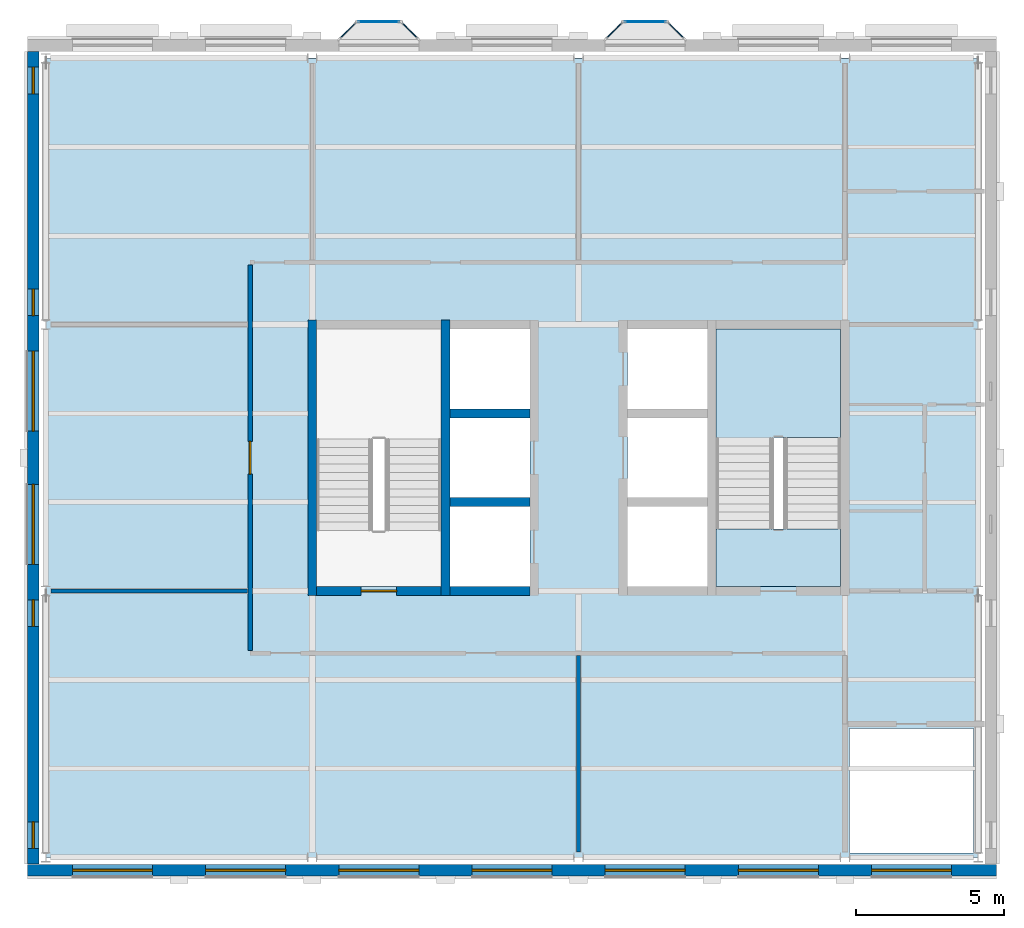
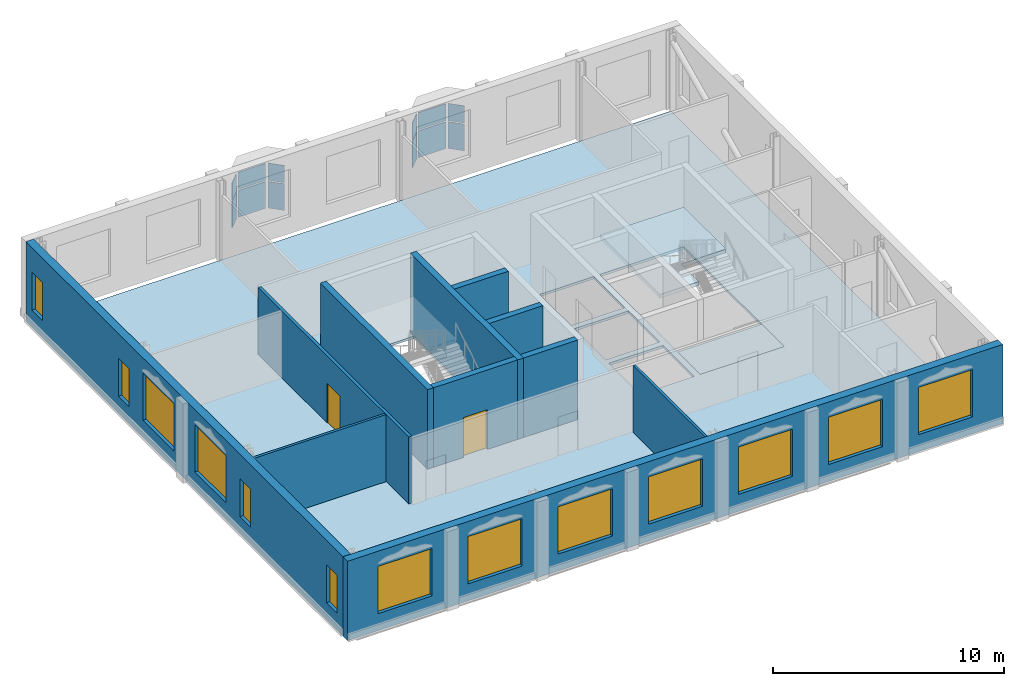
# One storey, part 3 of 9: 13 windows, 12 plates, 11 walls, 3 slabs, 2 doors, 15 openings, 7 elements without a shape of their own.
"""IFC4 building model written with IfcOpenShell, lengths in metres."""

from ifc_helpers import new_model, si_unit, direction, frame, frame_2d, origin, origin_2d, place, context, subcontext, project, spatial, polyline, rectangle, outline, extrude, material, layer, layer_set, type_object, element, fill, aggregate, save


model = new_model("IFC4")

# Units and contexts
model_context = context("Model", 3, precision=1e-05, world=origin(), true_north=direction((0.0, 1.0)))
body_context = subcontext(model_context, "Body", "Model", "MODEL_VIEW")
ifc_project = project(units=[si_unit("LENGTHUNIT", "METRE"), si_unit("AREAUNIT", "SQUARE_METRE"), si_unit("VOLUMEUNIT", "CUBIC_METRE"), si_unit("PLANEANGLEUNIT", "RADIAN"), si_unit("MASSUNIT", "GRAM", prefix="KILO")], contexts=[model_context])

# Site, building, storey
site_placement = place(None, origin())
site = spatial("IfcSite", under=ifc_project, at=site_placement, CompositionType="ELEMENT")
building_placement = place(site_placement, origin())
building = spatial("IfcBuilding", under=site, at=building_placement, Name="Hortulan Conservatory and Botanical Research Centre", CompositionType="ELEMENT")
storey_placement = place(building_placement, frame((0.0, 0.0, 48.60009765625)))
storey = spatial("IfcBuildingStorey", under=building, at=storey_placement, Name="L11", CompositionType="ELEMENT", Elevation=48.60009765625)

# Slab
ifc_material_1 = material(Name="Concrete N32 (32 MPa, AS 3600)", Category="concrete")
ifc_layer_1 = layer(ifc_material_1, 0.1298828125)
ifc_layer_set_1 = layer_set([ifc_layer_1], Name="Composite Floor Slab 130")
slab_type_1 = type_object("IfcSlabType", Name="Composite Floor Slab 130", PredefinedType="FLOOR", material=ifc_layer_set_1)
slab_1_placement = place(storey_placement, frame((0.0, 0.0, -0.130126953125)))
element("IfcSlab", 1, at=slab_1_placement, inside=storey, type_object=slab_type_1, Name="Floor slab", PredefinedType="FLOOR", context=body_context, shape_type="SweptSolid", body=[
    extrude(outline(polyline([(0.0, 0.0), (31.5, 0.0), (31.5, 27.0), (0.0, 27.0), (0.0, 0.0)]), holes=[polyline([(27.14990234375, 4.35009765625), (27.14990234375, 0.14990234375), (31.35009765625, 0.14990234375), (31.35009765625, 4.35009765625), (27.14990234375, 4.35009765625)]), polyline([(13.64990234375, 11.85009765625), (13.64990234375, 9.14990234375), (16.35009765625, 9.14990234375), (16.35009765625, 11.85009765625), (13.64990234375, 11.85009765625)]), polyline([(19.64990234375, 11.85009765625), (19.64990234375, 9.14990234375), (22.35009765625, 9.14990234375), (22.35009765625, 11.85009765625), (19.64990234375, 11.85009765625)]), polyline([(9.14990234375, 17.85009765625), (9.14990234375, 9.14990234375), (13.35009765625, 9.14990234375), (13.35009765625, 17.85009765625), (9.14990234375, 17.85009765625)]), polyline([(13.64990234375, 14.85009765625), (13.64990234375, 12.14990234375), (16.35009765625, 12.14990234375), (16.35009765625, 14.85009765625), (13.64990234375, 14.85009765625)]), polyline([(19.64990234375, 14.85009765625), (19.64990234375, 12.14990234375), (22.35009765625, 12.14990234375), (22.35009765625, 14.85009765625), (19.64990234375, 14.85009765625)]), polyline([(22.64990234375, 17.85009765625), (22.64990234375, 9.14990234375), (26.85009765625, 9.14990234375), (26.85009765625, 17.85009765625), (22.64990234375, 17.85009765625)]), polyline([(16.35009765625, 17.85009765625), (13.64990234375, 17.85009765625), (13.64990234375, 15.14990234375), (16.35009765625, 15.14990234375), (16.35009765625, 17.85009765625)]), polyline([(22.35009765625, 17.85009765625), (19.64990234375, 17.85009765625), (19.64990234375, 15.14990234375), (22.35009765625, 15.14990234375), (22.35009765625, 17.85009765625)])]), origin(), (0.0, 0.0, 1.0), 0.130126953125),
])

# Curtain wall, plates
ifc_material_2 = material(Name="Bronze-finished aluminium", Category="aluminium")
ifc_layer_2 = layer(ifc_material_2, 0.10009765625)
ifc_layer_set_2 = layer_set([ifc_layer_2], Name="Oriel Curtain Wall 1350 module")
curtain_wall_type = type_object("IfcCurtainWallType", Name="Oriel Curtain Wall 1350 module", PredefinedType="NOTDEFINED", material=ifc_layer_set_2)
curtain_wall_1_placement = place(storey_placement, origin())
curtain_wall_1 = element("IfcCurtainWall", 2, at=curtain_wall_1_placement, inside=storey, type_object=curtain_wall_type, Name="Oriel glazing", PredefinedType="NOTDEFINED")
ifc_material_3 = material(Name="Low-e laminated glass", Category="glass")
ifc_layer_3 = layer(ifc_material_3, 0.028076171875)
ifc_layer_set_3 = layer_set([ifc_layer_3], Name="Laminated Glass Panel 28")
plate_type = type_object("IfcPlateType", Name="Laminated Glass Panel 28", PredefinedType="CURTAIN_PANEL", material=ifc_layer_set_3)
plate_1_placement = place(storey_placement, frame((10.199951171875, 27.93603515625, 0.9599609375), z_axis=(0.0, 0.0, 1.0), x_axis=(0.707106781187, 0.707106781187, 0.0)))
plate_1 = element("IfcPlate", 3, at=plate_1_placement, type_object=plate_type, Name="CW2 panel 1.1", PredefinedType="CURTAIN_PANEL", context=body_context, shape_type="SweptSolid", body=[
    extrude(rectangle(XDim=0.728515625, YDim=0.028076171875, at=origin_2d()), origin(), (0.0, 0.0, 1.0), 1.409912109375),
])
plate_2_placement = place(storey_placement, frame((10.199951171875, 27.93603515625, 2.43017578125), z_axis=(0.0, 0.0, 1.0), x_axis=(0.707106781187, 0.707106781187, 0.0)))
plate_2 = element("IfcPlate", 4, at=plate_2_placement, type_object=plate_type, Name="CW2 panel 1.2", PredefinedType="CURTAIN_PANEL", context=body_context, shape_type="SweptSolid", body=[
    extrude(rectangle(XDim=0.728515625, YDim=0.028076171875, at=origin_2d()), origin(), (0.0, 0.0, 1.0), 0.909912109375),
])
aggregate(curtain_wall_1, [plate_1, plate_2])

curtain_wall_2_placement = place(storey_placement, origin())
curtain_wall_2 = element("IfcCurtainWall", 5, at=curtain_wall_2_placement, inside=storey, type_object=curtain_wall_type, Name="Oriel glazing", PredefinedType="NOTDEFINED")
plate_3_placement = place(storey_placement, frame((11.25, 28.236083984375, 0.9599609375), z_axis=(0.0, 0.0, 1.0), x_axis=(1.0, 0.0, 0.0)))
plate_3 = element("IfcPlate", 6, at=plate_3_placement, type_object=plate_type, Name="CW2 panel 1.1", PredefinedType="CURTAIN_PANEL", context=body_context, shape_type="SweptSolid", body=[
    extrude(rectangle(XDim=1.3798828125, YDim=0.028076171875, at=origin_2d()), origin(), (0.0, 0.0, 1.0), 1.409912109375),
])
plate_4_placement = place(storey_placement, frame((11.25, 28.236083984375, 2.43017578125), z_axis=(0.0, 0.0, 1.0), x_axis=(1.0, 0.0, 0.0)))
plate_4 = element("IfcPlate", 7, at=plate_4_placement, type_object=plate_type, Name="CW2 panel 1.2", PredefinedType="CURTAIN_PANEL", context=body_context, shape_type="SweptSolid", body=[
    extrude(rectangle(XDim=1.3798828125, YDim=0.028076171875, at=origin_2d()), origin(), (0.0, 0.0, 1.0), 0.909912109375),
])
aggregate(curtain_wall_2, [plate_3, plate_4])

curtain_wall_3_placement = place(storey_placement, origin())
curtain_wall_3 = element("IfcCurtainWall", 8, at=curtain_wall_3_placement, inside=storey, type_object=curtain_wall_type, Name="Oriel glazing", PredefinedType="NOTDEFINED")
plate_5_placement = place(storey_placement, frame((12.300048828125, 27.93603515625, 0.9599609375), z_axis=(0.0, 0.0, 1.0), x_axis=(0.707106781187, -0.707106781187, 0.0)))
plate_5 = element("IfcPlate", 9, at=plate_5_placement, type_object=plate_type, Name="CW2 panel 1.1", PredefinedType="CURTAIN_PANEL", context=body_context, shape_type="SweptSolid", body=[
    extrude(rectangle(XDim=0.728515625, YDim=0.028076171875, at=origin_2d()), origin(), (0.0, 0.0, 1.0), 1.409912109375),
])
plate_6_placement = place(storey_placement, frame((12.300048828125, 27.93603515625, 2.43017578125), z_axis=(0.0, 0.0, 1.0), x_axis=(0.707106781187, -0.707106781187, 0.0)))
plate_6 = element("IfcPlate", 10, at=plate_6_placement, type_object=plate_type, Name="CW2 panel 1.2", PredefinedType="CURTAIN_PANEL", context=body_context, shape_type="SweptSolid", body=[
    extrude(rectangle(XDim=0.728515625, YDim=0.028076171875, at=origin_2d()), origin(), (0.0, 0.0, 1.0), 0.909912109375),
])
aggregate(curtain_wall_3, [plate_5, plate_6])

curtain_wall_4_placement = place(storey_placement, origin())
curtain_wall_4 = element("IfcCurtainWall", 11, at=curtain_wall_4_placement, inside=storey, type_object=curtain_wall_type, Name="Oriel glazing", PredefinedType="NOTDEFINED")
plate_7_placement = place(storey_placement, frame((19.199951171875, 27.93603515625, 0.9599609375), z_axis=(0.0, 0.0, 1.0), x_axis=(0.707106781187, 0.707106781187, 0.0)))
plate_7 = element("IfcPlate", 12, at=plate_7_placement, type_object=plate_type, Name="CW2 panel 1.1", PredefinedType="CURTAIN_PANEL", context=body_context, shape_type="SweptSolid", body=[
    extrude(rectangle(XDim=0.728515625, YDim=0.028076171875, at=origin_2d()), origin(), (0.0, 0.0, 1.0), 1.409912109375),
])
plate_8_placement = place(storey_placement, frame((19.199951171875, 27.93603515625, 2.43017578125), z_axis=(0.0, 0.0, 1.0), x_axis=(0.707106781187, 0.707106781187, 0.0)))
plate_8 = element("IfcPlate", 13, at=plate_8_placement, type_object=plate_type, Name="CW2 panel 1.2", PredefinedType="CURTAIN_PANEL", context=body_context, shape_type="SweptSolid", body=[
    extrude(rectangle(XDim=0.728515625, YDim=0.028076171875, at=origin_2d()), origin(), (0.0, 0.0, 1.0), 0.909912109375),
])
aggregate(curtain_wall_4, [plate_7, plate_8])

curtain_wall_5_placement = place(storey_placement, origin())
curtain_wall_5 = element("IfcCurtainWall", 14, at=curtain_wall_5_placement, inside=storey, type_object=curtain_wall_type, Name="Oriel glazing", PredefinedType="NOTDEFINED")
plate_9_placement = place(storey_placement, frame((20.25, 28.236083984375, 0.9599609375), z_axis=(0.0, 0.0, 1.0), x_axis=(1.0, 0.0, 0.0)))
plate_9 = element("IfcPlate", 15, at=plate_9_placement, type_object=plate_type, Name="CW2 panel 1.1", PredefinedType="CURTAIN_PANEL", context=body_context, shape_type="SweptSolid", body=[
    extrude(rectangle(XDim=1.3798828125, YDim=0.028076171875, at=origin_2d()), origin(), (0.0, 0.0, 1.0), 1.409912109375),
])
plate_10_placement = place(storey_placement, frame((20.25, 28.236083984375, 2.43017578125), z_axis=(0.0, 0.0, 1.0), x_axis=(1.0, 0.0, 0.0)))
plate_10 = element("IfcPlate", 16, at=plate_10_placement, type_object=plate_type, Name="CW2 panel 1.2", PredefinedType="CURTAIN_PANEL", context=body_context, shape_type="SweptSolid", body=[
    extrude(rectangle(XDim=1.3798828125, YDim=0.028076171875, at=origin_2d()), origin(), (0.0, 0.0, 1.0), 0.909912109375),
])
aggregate(curtain_wall_5, [plate_9, plate_10])

curtain_wall_6_placement = place(storey_placement, origin())
curtain_wall_6 = element("IfcCurtainWall", 17, at=curtain_wall_6_placement, inside=storey, type_object=curtain_wall_type, Name="Oriel glazing", PredefinedType="NOTDEFINED")
plate_11_placement = place(storey_placement, frame((21.300048828125, 27.93603515625, 0.9599609375), z_axis=(0.0, 0.0, 1.0), x_axis=(0.707106781187, -0.707106781187, 0.0)))
plate_11 = element("IfcPlate", 18, at=plate_11_placement, type_object=plate_type, Name="CW2 panel 1.1", PredefinedType="CURTAIN_PANEL", context=body_context, shape_type="SweptSolid", body=[
    extrude(rectangle(XDim=0.728515625, YDim=0.028076171875, at=origin_2d()), origin(), (0.0, 0.0, 1.0), 1.409912109375),
])
plate_12_placement = place(storey_placement, frame((21.300048828125, 27.93603515625, 2.43017578125), z_axis=(0.0, 0.0, 1.0), x_axis=(0.707106781187, -0.707106781187, 0.0)))
plate_12 = element("IfcPlate", 19, at=plate_12_placement, type_object=plate_type, Name="CW2 panel 1.2", PredefinedType="CURTAIN_PANEL", context=body_context, shape_type="SweptSolid", body=[
    extrude(rectangle(XDim=0.728515625, YDim=0.028076171875, at=origin_2d()), origin(), (0.0, 0.0, 1.0), 0.909912109375),
])
aggregate(curtain_wall_6, [plate_11, plate_12])

# Stair, slab
ifc_material_4 = material(Name="Concrete N40 (40 MPa, AS 3600)", Category="concrete")
stair_type = type_object("IfcStairType", Name="Concrete Escape Stair 1950", PredefinedType="HALF_TURN_STAIR", material=ifc_material_4)
stair_placement = place(storey_placement, origin())
stair = element("IfcStair", 20, at=stair_placement, inside=storey, type_object=stair_type, Name="Stair T2 L11", PredefinedType="HALF_TURN_STAIR")
ifc_layer_4 = layer(ifc_material_4, 0.199951171875)
ifc_layer_set_4 = layer_set([ifc_layer_4], Name="Stair Landing 200")
slab_type_2 = type_object("IfcSlabType", Name="Stair Landing 200", PredefinedType="LANDING", material=ifc_layer_set_4)
slab_2_placement = place(storey_placement, frame((0.0, 0.0, 1.89990234375)))
slab_2 = element("IfcSlab", 21, at=slab_2_placement, type_object=slab_type_2, Name="Stair T2 L11 half landing 1", PredefinedType="LANDING", context=body_context, shape_type="SweptSolid", body=[
    extrude(outline(polyline([(26.85009765625, 14.179443359375), (24.60009765625, 14.179443359375), (24.60009765625, 12.639892578125), (22.64990234375, 12.639892578125), (22.64990234375, 14.179443359375), (22.64990234375, 14.179931640625), (22.64990234375, 14.18994140625), (22.64990234375, 17.85009765625), (26.85009765625, 17.85009765625), (26.85009765625, 14.18994140625), (26.85009765625, 14.179931640625), (26.85009765625, 14.179443359375)])), origin(), (0.0, 0.0, 1.0), 0.199951171875),
])
aggregate(stair, [slab_2])

# Slab
slab_3_placement = place(storey_placement, frame((0.0, 0.0, -0.2001953125)))
element("IfcSlab", 22, at=slab_3_placement, inside=storey, type_object=slab_type_2, Name="Stair T2 floor landing L11", PredefinedType="LANDING", context=body_context, shape_type="SweptSolid", body=[
    extrude(outline(polyline([(26.85009765625, 9.14990234375), (22.64990234375, 9.14990234375), (22.64990234375, 11.10009765625), (26.85009765625, 11.10009765625), (26.85009765625, 9.14990234375)])), origin(), (0.0, 0.0, 1.0), 0.2001953125),
])

# Walls
ifc_layer_5 = layer(ifc_material_4, 0.300048828125)
ifc_layer_set_5 = layer_set([ifc_layer_5], Name="Core Wall 300 N40 FRL 240/120/120")
wall_type_1 = type_object("IfcWallType", Name="Core Wall 300 N40 FRL 240/120/120", PredefinedType="SHEAR", material=ifc_layer_set_5)
for number, where, z_axis, x_axis, name in (
    (23, (9.0, 8.85009765625, 0.0), (0.0, 0.0, 1.0), (0.0, 1.0, 0.0), "Reinforced concrete shaft wall"),
    (24, (13.5, 8.85009765625, 0.0), (0.0, 0.0, 1.0), (0.0, 1.0, 0.0), "Reinforced concrete shaft wall"),
):
    element("IfcWall", number, at=place(storey_placement, frame(where, z_axis=z_axis, x_axis=x_axis)), inside=storey, type_object=wall_type_1, Name=name, PredefinedType="SHEAR", context=body_context, shape_type="SweptSolid", body=[
        extrude(rectangle(XDim=9.2998046875, YDim=0.300048828125, at=frame_2d((4.64990234375, 0.0))), origin(), (0.0, 0.0, 1.0), 4.199951171875),
    ])

# Wall, opening, door
wall_1_placement = place(storey_placement, frame((9.14990234375, 9.0, 0.0), z_axis=(0.0, 0.0, 1.0), x_axis=(1.0, 0.0, 0.0)))
wall_1 = element("IfcWall", 25, at=wall_1_placement, inside=storey, type_object=wall_type_1, Name="Reinforced concrete shaft wall", PredefinedType="SHEAR", context=body_context, shape_type="SweptSolid", body=[
    extrude(rectangle(XDim=4.2001953125, YDim=0.300048828125, at=frame_2d((2.10009765625, 0.0))), origin(), (0.0, 0.0, 1.0), 4.199951171875),
])
opening_1_placement = place(wall_1_placement, frame((1.5, 0.0, 0.0)))
opening_1 = element("IfcOpeningElement", 26, at=opening_1_placement, cuts=wall_1, Name="Opening DT5", PredefinedType="OPENING", context=body_context, shape_type="SweptSolid", body=[
    extrude(rectangle(XDim=1.199951171875, YDim=2.10009765625, at=frame_2d((0.60009765625, 1.050048828125))), frame((0.0, 0.159912109375, 0.0), z_axis=(0.0, -1.0, 0.0), x_axis=(1.0, 0.0, 0.0)), (0.0, 0.0, 1.0), 0.320068359375),
])
ifc_material_5 = material(Name="Steel door leaf, insulated", Category="steel")
door_type_1 = type_object("IfcDoorType", Name="Stair Door 1200x2100 FRL -/120/30", OperationType="NOTDEFINED", PredefinedType="DOOR", material=ifc_material_5)
door_1_placement = place(opening_1_placement, origin())
door_1 = element("IfcDoor", 27, at=door_1_placement, inside=storey, type_object=door_type_1, Name="Door DT5 Exit Stair T1", OperationType="SINGLE_SWING_RIGHT", OverallHeight=2.10009765625, OverallWidth=1.199951171875, PredefinedType="DOOR", context=body_context, shape_type="SweptSolid", body=[
    extrude(rectangle(XDim=1.199951171875, YDim=2.10009765625, at=frame_2d((0.60009765625, 1.050048828125))), frame((0.0, 0.02490234375, 0.0), z_axis=(0.0, -1.0, 0.0), x_axis=(1.0, 0.0, 0.0)), (0.0, 0.0, 1.0), 0.050048828125),
])
fill(opening_1, door_1)

# Walls
for number, where, z_axis, x_axis, name in (
    (28, (13.64990234375, 9.0, 0.0), (0.0, 0.0, 1.0), (1.0, 0.0, 0.0), "Reinforced concrete shaft wall"),
    (29, (13.64990234375, 12.0, 0.0), (0.0, 0.0, 1.0), (1.0, 0.0, 0.0), "Reinforced concrete shaft wall"),
    (30, (13.64990234375, 15.0, 0.0), (0.0, 0.0, 1.0), (1.0, 0.0, 0.0), "Reinforced concrete shaft wall"),
):
    element("IfcWall", number, at=place(storey_placement, frame(where, z_axis=z_axis, x_axis=x_axis)), inside=storey, type_object=wall_type_1, Name=name, PredefinedType="SHEAR", context=body_context, shape_type="SweptSolid", body=[
        extrude(rectangle(XDim=2.7001953125, YDim=0.300048828125, at=frame_2d((1.35009765625, 0.0))), origin(), (0.0, 0.0, 1.0), 4.199951171875),
    ])

# Wall, opening, door
ifc_material_6 = material(Name="Plasterboard on steel studs", Category="steel")
ifc_layer_6 = layer(ifc_material_6, 0.14990234375)
ifc_layer_set_6 = layer_set([ifc_layer_6], Name="Corridor Partition 150")
wall_type_2 = type_object("IfcWallType", Name="Corridor Partition 150", PredefinedType="PARTITIONING", material=ifc_layer_set_6)
wall_2_placement = place(storey_placement, frame((6.89990234375, 6.985107421875, 0.0), z_axis=(0.0, 0.0, 1.0), x_axis=(0.0, 1.0, 0.0)))
wall_2 = element("IfcWall", 31, at=wall_2_placement, inside=storey, type_object=wall_type_2, Name="Corridor partition", PredefinedType="PARTITIONING", context=body_context, shape_type="SweptSolid", body=[
    extrude(rectangle(XDim=13.02978515625, YDim=0.14990234375, at=frame_2d((6.514892578125, 0.0))), origin(), (0.0, 0.0, 1.0), 3.5419921875),
])
opening_2_placement = place(wall_2_placement, frame((5.965087890625, 0.0, 0.0)))
opening_2 = element("IfcOpeningElement", 32, at=opening_2_placement, cuts=wall_2, Name="Opening DT3", PredefinedType="OPENING", context=body_context, shape_type="SweptSolid", body=[
    extrude(rectangle(XDim=1.10009765625, YDim=2.10009765625, at=frame_2d((0.550048828125, 1.050048828125))), frame((0.0, 0.0849609375, 0.0), z_axis=(0.0, -1.0, 0.0), x_axis=(1.0, 0.0, 0.0)), (0.0, 0.0, 1.0), 0.169921875),
])
ifc_material_7 = material(Name="Timber door leaf with vision panel", Category="wood")
door_type_2 = type_object("IfcDoorType", Name="Laboratory Door 1100x2100", OperationType="NOTDEFINED", PredefinedType="DOOR", material=ifc_material_7)
door_2_placement = place(opening_2_placement, origin())
door_2 = element("IfcDoor", 33, at=door_2_placement, inside=storey, type_object=door_type_2, Name="Door DT3 Digital Library Suite", OperationType="SINGLE_SWING_LEFT", OverallHeight=2.10009765625, OverallWidth=1.10009765625, PredefinedType="DOOR", context=body_context, shape_type="SweptSolid", body=[
    extrude(rectangle(XDim=1.10009765625, YDim=2.10009765625, at=frame_2d((0.550048828125, 1.050048828125))), frame((0.0, 0.02490234375, 0.0), z_axis=(0.0, -1.0, 0.0), x_axis=(1.0, 0.0, 0.0)), (0.0, 0.0, 1.0), 0.050048828125),
])
fill(opening_2, door_2)

# Wall, openings, windows
ifc_material_8 = material(Name="Faience-faced brickwork masonry", Category="masonry")
ifc_layer_7 = layer(ifc_material_8, 0.39990234375)
ifc_layer_set_7 = layer_set([ifc_layer_7], Name="Faience-faced Masonry Cavity Wall 400")
wall_type_3 = type_object("IfcWallType", Name="Faience-faced Masonry Cavity Wall 400", PredefinedType="STANDARD", material=ifc_layer_set_7)
wall_3_placement = place(storey_placement, frame((32.125, -0.43603515625, 0.0), z_axis=(0.0, 0.0, 1.0), x_axis=(-1.0, 0.0, 0.0)))
wall_3 = element("IfcWall", 34, at=wall_3_placement, inside=storey, type_object=wall_type_3, Name="E-EW-TW-L11-S1", PredefinedType="STANDARD", context=body_context, shape_type="SweptSolid", body=[
    extrude(rectangle(XDim=32.75, YDim=0.39990234375, at=frame_2d((16.375, 0.0))), origin(), (0.0, 0.0, 1.0), 4.199951171875),
])
opening_3_placement = place(wall_3_placement, frame((28.52490234375, 0.0, 0.89990234375)))
opening_3 = element("IfcOpeningElement", 35, at=opening_3_placement, cuts=wall_3, Name="Opening W4", PredefinedType="OPENING", context=body_context, shape_type="SweptSolid", body=[
    extrude(rectangle(XDim=2.699951171875, YDim=2.5, at=frame_2d((1.35009765625, 1.25))), frame((0.0, 0.2099609375, 0.0), z_axis=(0.0, -1.0, 0.0), x_axis=(1.0, 0.0, 0.0)), (0.0, 0.0, 1.0), 0.419921875),
])
opening_4_placement = place(wall_3_placement, frame((24.02490234375, 0.0, 0.89990234375)))
opening_4 = element("IfcOpeningElement", 36, at=opening_4_placement, cuts=wall_3, Name="Opening W4", PredefinedType="OPENING", context=body_context, shape_type="SweptSolid", body=[
    extrude(rectangle(XDim=2.699951171875, YDim=2.5, at=frame_2d((1.35009765625, 1.25))), frame((0.0, 0.2099609375, 0.0), z_axis=(0.0, -1.0, 0.0), x_axis=(1.0, 0.0, 0.0)), (0.0, 0.0, 1.0), 0.419921875),
])
opening_5_placement = place(wall_3_placement, frame((19.52490234375, 0.0, 0.89990234375)))
opening_5 = element("IfcOpeningElement", 37, at=opening_5_placement, cuts=wall_3, Name="Opening W4", PredefinedType="OPENING", context=body_context, shape_type="SweptSolid", body=[
    extrude(rectangle(XDim=2.699951171875, YDim=2.5, at=frame_2d((1.35009765625, 1.25))), frame((0.0, 0.2099609375, 0.0), z_axis=(0.0, -1.0, 0.0), x_axis=(1.0, 0.0, 0.0)), (0.0, 0.0, 1.0), 0.419921875),
])
opening_6_placement = place(wall_3_placement, frame((15.02490234375, 0.0, 0.89990234375)))
opening_6 = element("IfcOpeningElement", 38, at=opening_6_placement, cuts=wall_3, Name="Opening W4", PredefinedType="OPENING", context=body_context, shape_type="SweptSolid", body=[
    extrude(rectangle(XDim=2.699951171875, YDim=2.5, at=frame_2d((1.35009765625, 1.25))), frame((0.0, 0.2099609375, 0.0), z_axis=(0.0, -1.0, 0.0), x_axis=(1.0, 0.0, 0.0)), (0.0, 0.0, 1.0), 0.419921875),
])
opening_7_placement = place(wall_3_placement, frame((10.52490234375, 0.0, 0.89990234375)))
opening_7 = element("IfcOpeningElement", 39, at=opening_7_placement, cuts=wall_3, Name="Opening W4", PredefinedType="OPENING", context=body_context, shape_type="SweptSolid", body=[
    extrude(rectangle(XDim=2.699951171875, YDim=2.5, at=frame_2d((1.35009765625, 1.25))), frame((0.0, 0.2099609375, 0.0), z_axis=(0.0, -1.0, 0.0), x_axis=(1.0, 0.0, 0.0)), (0.0, 0.0, 1.0), 0.419921875),
])
opening_8_placement = place(wall_3_placement, frame((6.02490234375, 0.0, 0.89990234375)))
opening_8 = element("IfcOpeningElement", 40, at=opening_8_placement, cuts=wall_3, Name="Opening W4", PredefinedType="OPENING", context=body_context, shape_type="SweptSolid", body=[
    extrude(rectangle(XDim=2.699951171875, YDim=2.5, at=frame_2d((1.35009765625, 1.25))), frame((0.0, 0.2099609375, 0.0), z_axis=(0.0, -1.0, 0.0), x_axis=(1.0, 0.0, 0.0)), (0.0, 0.0, 1.0), 0.419921875),
])
opening_9_placement = place(wall_3_placement, frame((1.52490234375, 0.0, 0.89990234375)))
opening_9 = element("IfcOpeningElement", 41, at=opening_9_placement, cuts=wall_3, Name="Opening W4", PredefinedType="OPENING", context=body_context, shape_type="SweptSolid", body=[
    extrude(rectangle(XDim=2.699951171875, YDim=2.5, at=frame_2d((1.35009765625, 1.25))), frame((0.0, 0.2099609375, 0.0), z_axis=(0.0, -1.0, 0.0), x_axis=(1.0, 0.0, 0.0)), (0.0, 0.0, 1.0), 0.419921875),
])
ifc_material_9 = material(Name="Bronze-finished aluminium frame with low-e laminated double glazing", Category="aluminium")
window_type_1 = type_object("IfcWindowType", Name="Faience Window 2700x2500", PartitioningType="SINGLE_PANEL", PredefinedType="WINDOW", material=ifc_material_9)
window_1_placement = place(opening_3_placement, origin())
window_1 = element("IfcWindow", 42, at=window_1_placement, inside=storey, type_object=window_type_1, Name="Faience window", OverallHeight=2.5, OverallWidth=2.699951171875, PartitioningType="SINGLE_PANEL", PredefinedType="WINDOW", context=body_context, shape_type="SweptSolid", body=[
    extrude(rectangle(XDim=2.699951171875, YDim=2.5, at=frame_2d((1.35009765625, 1.25))), frame((0.0, 0.030029296875, 0.0), z_axis=(0.0, -1.0, 0.0), x_axis=(1.0, 0.0, 0.0)), (0.0, 0.0, 1.0), 0.06005859375),
])
fill(opening_3, window_1)
window_2_placement = place(opening_4_placement, origin())
window_2 = element("IfcWindow", 43, at=window_2_placement, inside=storey, type_object=window_type_1, Name="Faience window", OverallHeight=2.5, OverallWidth=2.699951171875, PartitioningType="SINGLE_PANEL", PredefinedType="WINDOW", context=body_context, shape_type="SweptSolid", body=[
    extrude(rectangle(XDim=2.699951171875, YDim=2.5, at=frame_2d((1.35009765625, 1.25))), frame((0.0, 0.030029296875, 0.0), z_axis=(0.0, -1.0, 0.0), x_axis=(1.0, 0.0, 0.0)), (0.0, 0.0, 1.0), 0.06005859375),
])
fill(opening_4, window_2)
window_3_placement = place(opening_5_placement, origin())
window_3 = element("IfcWindow", 44, at=window_3_placement, inside=storey, type_object=window_type_1, Name="Faience window", OverallHeight=2.5, OverallWidth=2.699951171875, PartitioningType="SINGLE_PANEL", PredefinedType="WINDOW", context=body_context, shape_type="SweptSolid", body=[
    extrude(rectangle(XDim=2.699951171875, YDim=2.5, at=frame_2d((1.35009765625, 1.25))), frame((0.0, 0.030029296875, 0.0), z_axis=(0.0, -1.0, 0.0), x_axis=(1.0, 0.0, 0.0)), (0.0, 0.0, 1.0), 0.06005859375),
])
fill(opening_5, window_3)
window_4_placement = place(opening_6_placement, origin())
window_4 = element("IfcWindow", 45, at=window_4_placement, inside=storey, type_object=window_type_1, Name="Faience window", OverallHeight=2.5, OverallWidth=2.699951171875, PartitioningType="SINGLE_PANEL", PredefinedType="WINDOW", context=body_context, shape_type="SweptSolid", body=[
    extrude(rectangle(XDim=2.699951171875, YDim=2.5, at=frame_2d((1.35009765625, 1.25))), frame((0.0, 0.030029296875, 0.0), z_axis=(0.0, -1.0, 0.0), x_axis=(1.0, 0.0, 0.0)), (0.0, 0.0, 1.0), 0.06005859375),
])
fill(opening_6, window_4)
window_5_placement = place(opening_7_placement, origin())
window_5 = element("IfcWindow", 46, at=window_5_placement, inside=storey, type_object=window_type_1, Name="Faience window", OverallHeight=2.5, OverallWidth=2.699951171875, PartitioningType="SINGLE_PANEL", PredefinedType="WINDOW", context=body_context, shape_type="SweptSolid", body=[
    extrude(rectangle(XDim=2.699951171875, YDim=2.5, at=frame_2d((1.35009765625, 1.25))), frame((0.0, 0.030029296875, 0.0), z_axis=(0.0, -1.0, 0.0), x_axis=(1.0, 0.0, 0.0)), (0.0, 0.0, 1.0), 0.06005859375),
])
fill(opening_7, window_5)
window_6_placement = place(opening_8_placement, origin())
window_6 = element("IfcWindow", 47, at=window_6_placement, inside=storey, type_object=window_type_1, Name="Faience window", OverallHeight=2.5, OverallWidth=2.699951171875, PartitioningType="SINGLE_PANEL", PredefinedType="WINDOW", context=body_context, shape_type="SweptSolid", body=[
    extrude(rectangle(XDim=2.699951171875, YDim=2.5, at=frame_2d((1.35009765625, 1.25))), frame((0.0, 0.030029296875, 0.0), z_axis=(0.0, -1.0, 0.0), x_axis=(1.0, 0.0, 0.0)), (0.0, 0.0, 1.0), 0.06005859375),
])
fill(opening_8, window_6)
window_7_placement = place(opening_9_placement, origin())
window_7 = element("IfcWindow", 48, at=window_7_placement, inside=storey, type_object=window_type_1, Name="Faience window", OverallHeight=2.5, OverallWidth=2.699951171875, PartitioningType="SINGLE_PANEL", PredefinedType="WINDOW", context=body_context, shape_type="SweptSolid", body=[
    extrude(rectangle(XDim=2.699951171875, YDim=2.5, at=frame_2d((1.35009765625, 1.25))), frame((0.0, 0.030029296875, 0.0), z_axis=(0.0, -1.0, 0.0), x_axis=(1.0, 0.0, 0.0)), (0.0, 0.0, 1.0), 0.06005859375),
])
fill(opening_9, window_7)

wall_4_placement = place(storey_placement, frame((-0.425048828125, -0.22509765625, 0.0), z_axis=(0.0, 0.0, 1.0), x_axis=(0.0, 1.0, 0.0)))
wall_4 = element("IfcWall", 49, at=wall_4_placement, inside=storey, type_object=wall_type_3, Name="E-EW-TW-L11-W2", PredefinedType="STANDARD", context=body_context, shape_type="SweptSolid", body=[
    extrude(rectangle(XDim=27.4501953125, YDim=0.39990234375, at=frame_2d((13.72509765625, 0.0))), origin(), (0.0, 0.0, 1.0), 4.199951171875),
])
opening_10_placement = place(wall_4_placement, frame((0.52490234375, 0.0, 0.89990234375)))
opening_10 = element("IfcOpeningElement", 50, at=opening_10_placement, cuts=wall_4, Name="Opening W5", PredefinedType="OPENING", context=body_context, shape_type="SweptSolid", body=[
    extrude(rectangle(XDim=0.89990234375, YDim=2.0, at=frame_2d((0.449951171875, 1.0))), frame((0.0, 0.2099609375, 0.0), z_axis=(0.0, -1.0, 0.0), x_axis=(1.0, 0.0, 0.0)), (0.0, 0.0, 1.0), 0.419921875),
])
opening_11_placement = place(wall_4_placement, frame((8.02490234375, 0.0, 0.89990234375)))
opening_11 = element("IfcOpeningElement", 51, at=opening_11_placement, cuts=wall_4, Name="Opening W5", PredefinedType="OPENING", context=body_context, shape_type="SweptSolid", body=[
    extrude(rectangle(XDim=0.89990234375, YDim=2.0, at=frame_2d((0.449951171875, 1.0))), frame((0.0, 0.2099609375, 0.0), z_axis=(0.0, -1.0, 0.0), x_axis=(1.0, 0.0, 0.0)), (0.0, 0.0, 1.0), 0.419921875),
])
opening_12_placement = place(wall_4_placement, frame((10.125, 0.0, 0.89990234375)))
opening_12 = element("IfcOpeningElement", 52, at=opening_12_placement, cuts=wall_4, Name="Opening W4", PredefinedType="OPENING", context=body_context, shape_type="SweptSolid", body=[
    extrude(rectangle(XDim=2.699951171875, YDim=2.5, at=frame_2d((1.35009765625, 1.25))), frame((0.0, 0.2099609375, 0.0), z_axis=(0.0, -1.0, 0.0), x_axis=(1.0, 0.0, 0.0)), (0.0, 0.0, 1.0), 0.419921875),
])
opening_13_placement = place(wall_4_placement, frame((14.625, 0.0, 0.89990234375)))
opening_13 = element("IfcOpeningElement", 53, at=opening_13_placement, cuts=wall_4, Name="Opening W4", PredefinedType="OPENING", context=body_context, shape_type="SweptSolid", body=[
    extrude(rectangle(XDim=2.699951171875, YDim=2.5, at=frame_2d((1.35009765625, 1.25))), frame((0.0, 0.2099609375, 0.0), z_axis=(0.0, -1.0, 0.0), x_axis=(1.0, 0.0, 0.0)), (0.0, 0.0, 1.0), 0.419921875),
])
opening_14_placement = place(wall_4_placement, frame((18.52490234375, 0.0, 0.89990234375)))
opening_14 = element("IfcOpeningElement", 54, at=opening_14_placement, cuts=wall_4, Name="Opening W5", PredefinedType="OPENING", context=body_context, shape_type="SweptSolid", body=[
    extrude(rectangle(XDim=0.89990234375, YDim=2.0, at=frame_2d((0.449951171875, 1.0))), frame((0.0, 0.2099609375, 0.0), z_axis=(0.0, -1.0, 0.0), x_axis=(1.0, 0.0, 0.0)), (0.0, 0.0, 1.0), 0.419921875),
])
opening_15_placement = place(wall_4_placement, frame((26.02490234375, 0.0, 0.89990234375)))
opening_15 = element("IfcOpeningElement", 55, at=opening_15_placement, cuts=wall_4, Name="Opening W5", PredefinedType="OPENING", context=body_context, shape_type="SweptSolid", body=[
    extrude(rectangle(XDim=0.89990234375, YDim=2.0, at=frame_2d((0.449951171875, 1.0))), frame((0.0, 0.2099609375, 0.0), z_axis=(0.0, -1.0, 0.0), x_axis=(1.0, 0.0, 0.0)), (0.0, 0.0, 1.0), 0.419921875),
])
window_type_2 = type_object("IfcWindowType", Name="Faience Pier Window 900x2000", PartitioningType="SINGLE_PANEL", PredefinedType="WINDOW", material=ifc_material_9)
window_8_placement = place(opening_10_placement, origin())
window_8 = element("IfcWindow", 56, at=window_8_placement, inside=storey, type_object=window_type_2, Name="Faience Pier window", OverallHeight=2.0, OverallWidth=0.89990234375, PartitioningType="SINGLE_PANEL", PredefinedType="WINDOW", context=body_context, shape_type="SweptSolid", body=[
    extrude(rectangle(XDim=0.89990234375, YDim=2.0, at=frame_2d((0.449951171875, 1.0))), frame((0.0, 0.030029296875, 0.0), z_axis=(0.0, -1.0, 0.0), x_axis=(1.0, 0.0, 0.0)), (0.0, 0.0, 1.0), 0.06005859375),
])
fill(opening_10, window_8)
window_9_placement = place(opening_11_placement, origin())
window_9 = element("IfcWindow", 57, at=window_9_placement, inside=storey, type_object=window_type_2, Name="Faience Pier window", OverallHeight=2.0, OverallWidth=0.89990234375, PartitioningType="SINGLE_PANEL", PredefinedType="WINDOW", context=body_context, shape_type="SweptSolid", body=[
    extrude(rectangle(XDim=0.89990234375, YDim=2.0, at=frame_2d((0.449951171875, 1.0))), frame((0.0, 0.030029296875, 0.0), z_axis=(0.0, -1.0, 0.0), x_axis=(1.0, 0.0, 0.0)), (0.0, 0.0, 1.0), 0.06005859375),
])
fill(opening_11, window_9)
window_10_placement = place(opening_14_placement, origin())
window_10 = element("IfcWindow", 58, at=window_10_placement, inside=storey, type_object=window_type_2, Name="Faience Pier window", OverallHeight=2.0, OverallWidth=0.89990234375, PartitioningType="SINGLE_PANEL", PredefinedType="WINDOW", context=body_context, shape_type="SweptSolid", body=[
    extrude(rectangle(XDim=0.89990234375, YDim=2.0, at=frame_2d((0.449951171875, 1.0))), frame((0.0, 0.030029296875, 0.0), z_axis=(0.0, -1.0, 0.0), x_axis=(1.0, 0.0, 0.0)), (0.0, 0.0, 1.0), 0.06005859375),
])
fill(opening_14, window_10)
window_11_placement = place(opening_15_placement, origin())
window_11 = element("IfcWindow", 59, at=window_11_placement, inside=storey, type_object=window_type_2, Name="Faience Pier window", OverallHeight=2.0, OverallWidth=0.89990234375, PartitioningType="SINGLE_PANEL", PredefinedType="WINDOW", context=body_context, shape_type="SweptSolid", body=[
    extrude(rectangle(XDim=0.89990234375, YDim=2.0, at=frame_2d((0.449951171875, 1.0))), frame((0.0, 0.030029296875, 0.0), z_axis=(0.0, -1.0, 0.0), x_axis=(1.0, 0.0, 0.0)), (0.0, 0.0, 1.0), 0.06005859375),
])
fill(opening_15, window_11)
window_12_placement = place(opening_12_placement, origin())
window_12 = element("IfcWindow", 60, at=window_12_placement, inside=storey, type_object=window_type_1, Name="Faience window", OverallHeight=2.5, OverallWidth=2.699951171875, PartitioningType="SINGLE_PANEL", PredefinedType="WINDOW", context=body_context, shape_type="SweptSolid", body=[
    extrude(rectangle(XDim=2.699951171875, YDim=2.5, at=frame_2d((1.35009765625, 1.25))), frame((0.0, 0.030029296875, 0.0), z_axis=(0.0, -1.0, 0.0), x_axis=(1.0, 0.0, 0.0)), (0.0, 0.0, 1.0), 0.06005859375),
])
fill(opening_12, window_12)
window_13_placement = place(opening_13_placement, origin())
window_13 = element("IfcWindow", 61, at=window_13_placement, inside=storey, type_object=window_type_1, Name="Faience window", OverallHeight=2.5, OverallWidth=2.699951171875, PartitioningType="SINGLE_PANEL", PredefinedType="WINDOW", context=body_context, shape_type="SweptSolid", body=[
    extrude(rectangle(XDim=2.699951171875, YDim=2.5, at=frame_2d((1.35009765625, 1.25))), frame((0.0, 0.030029296875, 0.0), z_axis=(0.0, -1.0, 0.0), x_axis=(1.0, 0.0, 0.0)), (0.0, 0.0, 1.0), 0.06005859375),
])
fill(opening_13, window_13)

# Walls
ifc_layer_8 = layer(ifc_material_6, 0.125)
ifc_layer_set_8 = layer_set([ifc_layer_8], Name="Partition 125")
wall_type_4 = type_object("IfcWallType", Name="Partition 125", PredefinedType="PARTITIONING", material=ifc_layer_set_8)
wall_5_placement = place(storey_placement, frame((18.0, 0.17041015625, 0.0), z_axis=(0.0, 0.0, 1.0), x_axis=(0.0, 1.0, 0.0)))
element("IfcWall", 62, at=wall_5_placement, inside=storey, type_object=wall_type_4, Name="Partition", PredefinedType="PARTITIONING", context=body_context, shape_type="SweptSolid", body=[
    extrude(rectangle(XDim=6.64453125, YDim=0.125, at=frame_2d((3.322265625, 0.0))), origin(), (0.0, 0.0, 1.0), 3.5419921875),
])
wall_6_placement = place(storey_placement, frame((0.16455078125, 9.0, 0.0), z_axis=(0.0, 0.0, 1.0), x_axis=(1.0, 0.0, 0.0)))
element("IfcWall", 63, at=wall_6_placement, inside=storey, type_object=wall_type_4, Name="Partition", PredefinedType="PARTITIONING", context=body_context, shape_type="SweptSolid", body=[
    extrude(rectangle(XDim=6.650390625, YDim=0.125, at=frame_2d((3.3251953125, 0.0))), origin(), (0.0, 0.0, 1.0), 3.5419921875),
])

save(model, "model.ifc")
